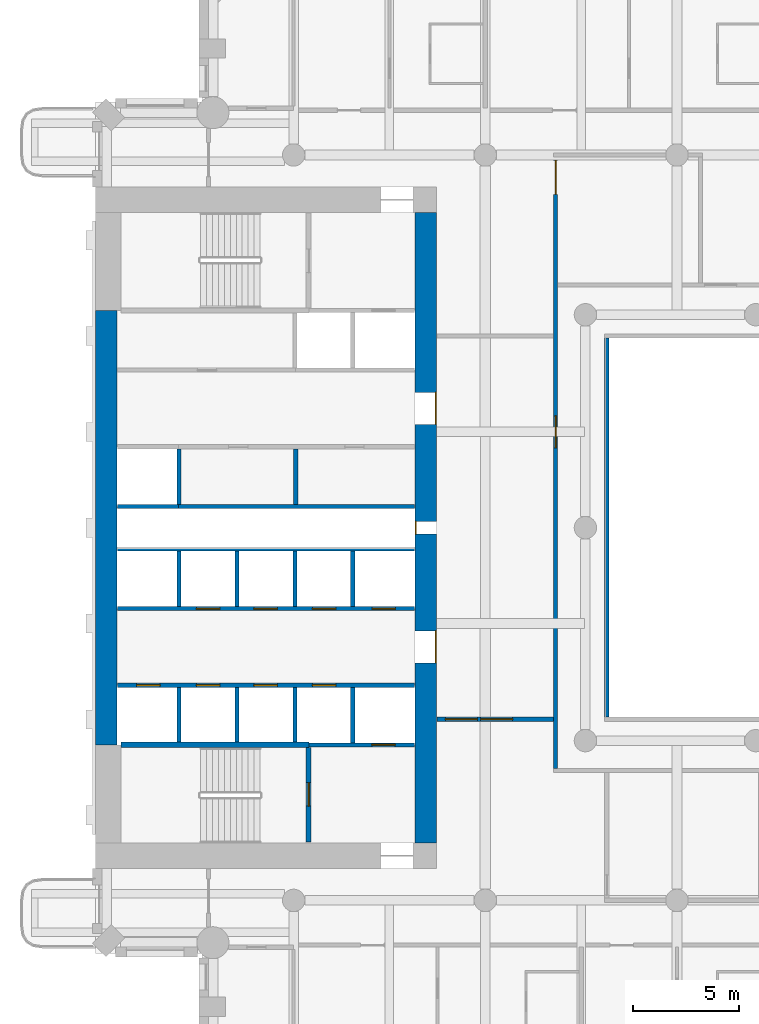
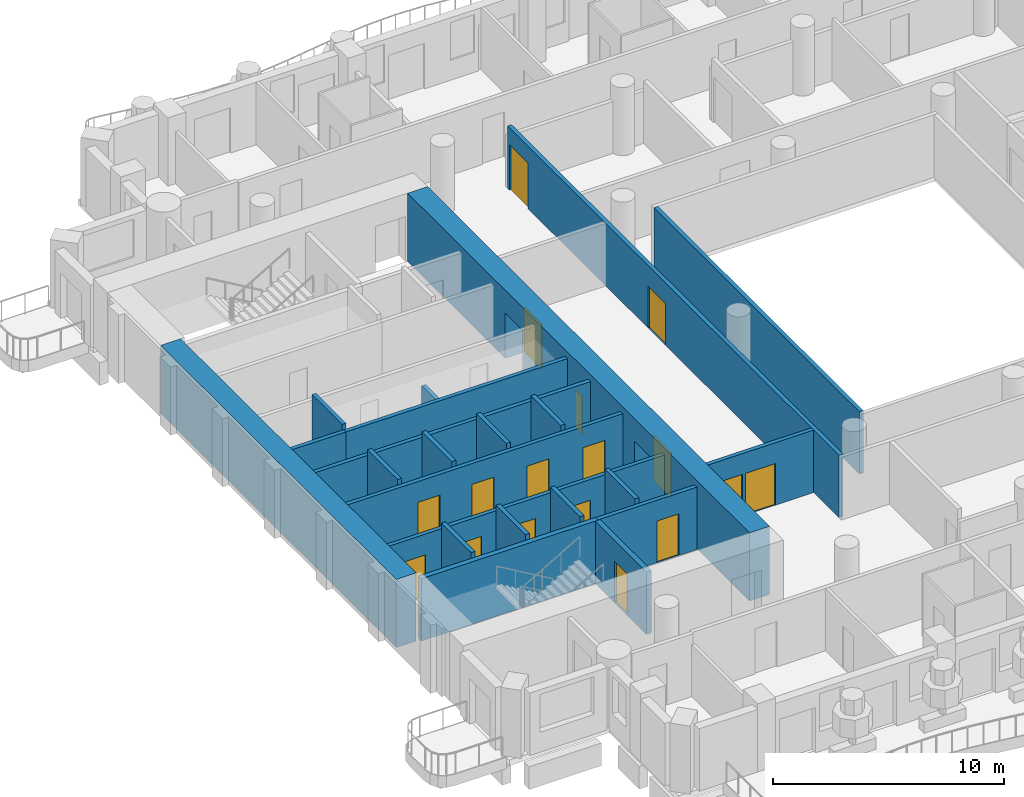
# One storey, part 4 of 19: 23 walls, 17 doors, 17 openings.
"""IFC4 building model written with IfcOpenShell, lengths in metres."""

from ifc_helpers import new_model, si_unit, direction, frame, frame_2d, origin, place, context, subcontext, project, spatial, rectangle, extrude, material, layer, layer_set, type_object, element, fill, save


model = new_model("IFC4")

# Units and contexts
model_context = context("Model", 3, precision=1e-05, world=origin(), true_north=direction((0.0, 1.0)))
body_context = subcontext(model_context, "Body", "Model", "MODEL_VIEW")
ifc_project = project(units=[si_unit("LENGTHUNIT", "METRE"), si_unit("AREAUNIT", "SQUARE_METRE"), si_unit("VOLUMEUNIT", "CUBIC_METRE"), si_unit("PLANEANGLEUNIT", "RADIAN"), si_unit("MASSUNIT", "GRAM", prefix="KILO")], contexts=[model_context])

# Site, building, storey
site_placement = place(None, origin())
site = spatial("IfcSite", under=ifc_project, at=site_placement, CompositionType="ELEMENT")
building_placement = place(site_placement, origin())
building = spatial("IfcBuilding", under=site, at=building_placement, Name="Cypress Arch Tower", CompositionType="ELEMENT")
storey_placement = place(building_placement, frame((0.0, 0.0, 141.89990234375)))
storey = spatial("IfcBuildingStorey", under=building, at=storey_placement, Name="L31", CompositionType="ELEMENT", Elevation=141.89990234375)

# Wall, openings, doors
ifc_material_1 = material(Name="Concrete C80/95", Category="concrete")
ifc_layer_1 = layer(ifc_material_1, 1.0)
ifc_layer_set_1 = layer_set([ifc_layer_1], Name="Core wall CW1000 C80/95")
wall_type_1 = type_object("IfcWallType", Name="Core wall CW1000 C80/95", PredefinedType="SHEAR", material=ifc_layer_set_1)
wall_1_placement = place(storey_placement, frame((-14.5, -14.800048828125, 0.0), z_axis=(0.0, 0.0, 1.0), x_axis=(0.0, 1.0, 0.0)))
wall_1 = element("IfcWall", 1, at=wall_1_placement, inside=storey, type_object=wall_type_1, Name="Core wall", PredefinedType="SHEAR", context=body_context, shape_type="SweptSolid", body=[
    extrude(rectangle(XDim=29.60009765625, YDim=1.0, at=frame_2d((14.800048828125, 0.0))), origin(), (0.0, 0.0, 1.0), 3.60009765625),
])
opening_1_placement = place(wall_1_placement, frame((8.449951171875, 0.0, 0.0)))
opening_1 = element("IfcOpeningElement", 2, at=opening_1_placement, cuts=wall_1, Name="Opening D07", PredefinedType="OPENING", context=body_context, shape_type="SweptSolid", body=[
    extrude(rectangle(XDim=1.5, YDim=2.39990234375, at=frame_2d((0.75, 1.199951171875))), frame((0.0, 0.510009765625, 0.0), z_axis=(0.0, -1.0, 0.0), x_axis=(1.0, 0.0, 0.0)), (0.0, 0.0, 1.0), 1.02001953125),
])
opening_2_placement = place(wall_1_placement, frame((19.64990234375, 0.0, 0.0)))
opening_2 = element("IfcOpeningElement", 3, at=opening_2_placement, cuts=wall_1, Name="Opening D07", PredefinedType="OPENING", context=body_context, shape_type="SweptSolid", body=[
    extrude(rectangle(XDim=1.5, YDim=2.39990234375, at=frame_2d((0.75, 1.199951171875))), frame((0.0, 0.510009765625, 0.0), z_axis=(0.0, -1.0, 0.0), x_axis=(1.0, 0.0, 0.0)), (0.0, 0.0, 1.0), 1.02001953125),
])
opening_3_placement = place(wall_1_placement, frame((14.5, 0.0, 0.0)))
opening_3 = element("IfcOpeningElement", 4, at=opening_3_placement, cuts=wall_1, Name="Opening D08", PredefinedType="OPENING", context=body_context, shape_type="SweptSolid", body=[
    extrude(rectangle(XDim=0.60009765625, YDim=2.0, at=frame_2d((0.300048828125, 1.0))), frame((0.0, 0.510009765625, 0.0), z_axis=(0.0, -1.0, 0.0), x_axis=(1.0, 0.0, 0.0)), (0.0, 0.0, 1.0), 1.02001953125),
])
ifc_material_2 = material(Name="Steel framed glazed door, fire resisting", Category="steel")
door_type_1 = type_object("IfcDoorType", Name="Lobby door D07 1500x2400", OperationType="DOUBLE_DOOR_SINGLE_SWING", PredefinedType="DOOR", material=ifc_material_2)
door_1_placement = place(opening_1_placement, origin())
door_1 = element("IfcDoor", 5, at=door_1_placement, inside=storey, type_object=door_type_1, Name="Lobby door", OperationType="DOUBLE_DOOR_SINGLE_SWING", OverallHeight=2.39990234375, OverallWidth=1.5, PredefinedType="DOOR", context=body_context, shape_type="SweptSolid", body=[
    extrude(rectangle(XDim=1.5, YDim=2.39990234375, at=frame_2d((0.75, 1.199951171875))), frame((0.0, -0.44482421875, 0.0), z_axis=(0.0, -1.0, 0.0), x_axis=(1.0, 0.0, 0.0)), (0.0, 0.0, 1.0), 0.050048828125),
])
fill(opening_1, door_1)
door_2_placement = place(opening_2_placement, origin())
door_2 = element("IfcDoor", 6, at=door_2_placement, inside=storey, type_object=door_type_1, Name="Lobby door", OperationType="DOUBLE_DOOR_SINGLE_SWING", OverallHeight=2.39990234375, OverallWidth=1.5, PredefinedType="DOOR", context=body_context, shape_type="SweptSolid", body=[
    extrude(rectangle(XDim=1.5, YDim=2.39990234375, at=frame_2d((0.75, 1.199951171875))), frame((0.0, -0.44482421875, 0.0), z_axis=(0.0, -1.0, 0.0), x_axis=(1.0, 0.0, 0.0)), (0.0, 0.0, 1.0), 0.050048828125),
])
fill(opening_2, door_2)
ifc_material_3 = material(Name="Steel access door, fire resisting", Category="steel")
door_type_2 = type_object("IfcDoorType", Name="Riser access door D08 600x2000", OperationType="SINGLE_SWING_LEFT", PredefinedType="DOOR", material=ifc_material_3)
door_3_placement = place(opening_3_placement, origin())
door_3 = element("IfcDoor", 7, at=door_3_placement, inside=storey, type_object=door_type_2, Name="Riser access door", OperationType="SINGLE_SWING_RIGHT", OverallHeight=2.0, OverallWidth=0.60009765625, PredefinedType="DOOR", context=body_context, shape_type="SweptSolid", body=[
    extrude(rectangle(XDim=0.60009765625, YDim=2.0, at=frame_2d((0.300048828125, 1.0))), frame((0.0, 0.4951171875, 0.0), z_axis=(0.0, -1.0, 0.0), x_axis=(1.0, 0.0, 0.0)), (0.0, 0.0, 1.0), 0.050048828125),
])
fill(opening_3, door_3)

# Wall
wall_2_placement = place(storey_placement, frame((-29.5, -10.199951171875, 0.0), z_axis=(0.0, 0.0, 1.0), x_axis=(0.0, 1.0, 0.0)))
element("IfcWall", 8, at=wall_2_placement, inside=storey, type_object=wall_type_1, Name="Core wall", PredefinedType="SHEAR", context=body_context, shape_type="SweptSolid", body=[
    extrude(rectangle(XDim=20.39990234375, YDim=1.0, at=frame_2d((10.199951171875, 0.0))), origin(), (0.0, 0.0, 1.0), 3.60009765625),
])

# Wall, openings, doors
ifc_material_4 = material(Name="Concrete blockwork, plastered, rated", Category="masonry")
ifc_layer_2 = layer(ifc_material_4, 0.199951171875)
ifc_layer_set_2 = layer_set([ifc_layer_2], Name="Corridor wall FW200")
wall_type_2 = type_object("IfcWallType", Name="Corridor wall FW200", PredefinedType="PARTITIONING", material=ifc_layer_set_2)
wall_3_placement = place(storey_placement, frame((-13.969970703125, -9.0, 0.0), z_axis=(0.0, 0.0, 1.0), x_axis=(1.0, 0.0, 0.0)))
wall_3 = element("IfcWall", 9, at=wall_3_placement, inside=storey, type_object=wall_type_2, Name="Corridor wall", PredefinedType="PARTITIONING", context=body_context, shape_type="SweptSolid", body=[
    extrude(rectangle(XDim=5.469970703125, YDim=0.199951171875, at=frame_2d((2.73486328125, 0.0))), origin(), (0.0, 0.0, 1.0), 3.300048828125),
])
opening_4_placement = place(wall_3_placement, frame((0.39990234375, 0.0, 0.0)))
opening_4 = element("IfcOpeningElement", 10, at=opening_4_placement, cuts=wall_3, Name="Opening D04", PredefinedType="OPENING", context=body_context, shape_type="SweptSolid", body=[
    extrude(rectangle(XDim=1.5, YDim=2.199951171875, at=frame_2d((0.75, 1.10009765625))), frame((0.0, 0.10986328125, 0.0), z_axis=(0.0, -1.0, 0.0), x_axis=(1.0, 0.0, 0.0)), (0.0, 0.0, 1.0), 0.219970703125),
])
opening_5_placement = place(wall_3_placement, frame((2.050048828125, 0.0, 0.0)))
opening_5 = element("IfcOpeningElement", 11, at=opening_5_placement, cuts=wall_3, Name="Opening D04", PredefinedType="OPENING", context=body_context, shape_type="SweptSolid", body=[
    extrude(rectangle(XDim=1.5, YDim=2.199951171875, at=frame_2d((0.75, 1.10009765625))), frame((0.0, 0.10986328125, 0.0), z_axis=(0.0, -1.0, 0.0), x_axis=(1.0, 0.0, 0.0)), (0.0, 0.0, 1.0), 0.219970703125),
])
ifc_material_5 = material(Name="Timber double door", Category="wood")
door_type_3 = type_object("IfcDoorType", Name="Double door D04 1500x2200", OperationType="DOUBLE_DOOR_SINGLE_SWING", PredefinedType="DOOR", material=ifc_material_5)
door_4_placement = place(opening_4_placement, origin())
door_4 = element("IfcDoor", 12, at=door_4_placement, inside=storey, type_object=door_type_3, Name="Double door", OperationType="DOUBLE_DOOR_SINGLE_SWING", OverallHeight=2.199951171875, OverallWidth=1.5, PredefinedType="DOOR", context=body_context, shape_type="SweptSolid", body=[
    extrude(rectangle(XDim=1.5, YDim=2.199951171875, at=frame_2d((0.75, 1.10009765625))), frame((0.0, 0.02490234375, 0.0), z_axis=(0.0, -1.0, 0.0), x_axis=(1.0, 0.0, 0.0)), (0.0, 0.0, 1.0), 0.050048828125),
])
fill(opening_4, door_4)
door_5_placement = place(opening_5_placement, origin())
door_5 = element("IfcDoor", 13, at=door_5_placement, inside=storey, type_object=door_type_3, Name="Double door", OperationType="DOUBLE_DOOR_SINGLE_SWING", OverallHeight=2.199951171875, OverallWidth=1.5, PredefinedType="DOOR", context=body_context, shape_type="SweptSolid", body=[
    extrude(rectangle(XDim=1.5, YDim=2.199951171875, at=frame_2d((0.75, 1.10009765625))), frame((0.0, 0.02490234375, 0.0), z_axis=(0.0, -1.0, 0.0), x_axis=(1.0, 0.0, 0.0)), (0.0, 0.0, 1.0), 0.050048828125),
])
fill(opening_5, door_5)

wall_4_placement = place(storey_placement, frame((-8.39990234375, -11.300048828125, 0.0), z_axis=(0.0, 0.0, 1.0), x_axis=(0.0, 1.0, 0.0)))
wall_4 = element("IfcWall", 14, at=wall_4_placement, inside=storey, type_object=wall_type_2, Name="Corridor wall", PredefinedType="PARTITIONING", context=body_context, shape_type="SweptSolid", body=[
    extrude(rectangle(XDim=28.699951171875, YDim=0.199951171875, at=frame_2d((14.35009765625, 0.0))), origin(), (0.0, 0.0, 1.0), 3.300048828125),
])
opening_6_placement = place(wall_4_placement, frame((15.050048828125, 0.0, 0.0)))
opening_6 = element("IfcOpeningElement", 15, at=opening_6_placement, cuts=wall_4, Name="Opening D04", PredefinedType="OPENING", context=body_context, shape_type="SweptSolid", body=[
    extrude(rectangle(XDim=1.5, YDim=2.199951171875, at=frame_2d((0.75, 1.10009765625))), frame((0.0, 0.10986328125, 0.0), z_axis=(0.0, -1.0, 0.0), x_axis=(1.0, 0.0, 0.0)), (0.0, 0.0, 1.0), 0.219970703125),
])
opening_7_placement = place(wall_4_placement, frame((26.949951171875, 0.0, 0.0)))
opening_7 = element("IfcOpeningElement", 16, at=opening_7_placement, cuts=wall_4, Name="Opening D10", PredefinedType="OPENING", context=body_context, shape_type="SweptSolid", body=[
    extrude(rectangle(XDim=1.60009765625, YDim=2.39990234375, at=frame_2d((0.800048828125, 1.199951171875))), frame((0.0, 0.10986328125, 0.0), z_axis=(0.0, -1.0, 0.0), x_axis=(1.0, 0.0, 0.0)), (0.0, 0.0, 1.0), 0.219970703125),
])
ifc_material_6 = material(Name="Black aluminium glazed door", Category="aluminium")
door_type_4 = type_object("IfcDoorType", Name="Amenity door D10 1600x2400", OperationType="DOUBLE_DOOR_SINGLE_SWING", PredefinedType="DOOR", material=ifc_material_6)
door_6_placement = place(opening_7_placement, origin())
door_6 = element("IfcDoor", 17, at=door_6_placement, inside=storey, type_object=door_type_4, Name="Amenity door", OperationType="DOUBLE_DOOR_SINGLE_SWING", OverallHeight=2.39990234375, OverallWidth=1.60009765625, PredefinedType="DOOR", context=body_context, shape_type="SweptSolid", body=[
    extrude(rectangle(XDim=1.60009765625, YDim=2.39990234375, at=frame_2d((0.800048828125, 1.199951171875))), frame((0.0, 0.02490234375, 0.0), z_axis=(0.0, -1.0, 0.0), x_axis=(1.0, 0.0, 0.0)), (0.0, 0.0, 1.0), 0.050048828125),
])
fill(opening_7, door_6)
door_7_placement = place(opening_6_placement, origin())
door_7 = element("IfcDoor", 18, at=door_7_placement, inside=storey, type_object=door_type_3, Name="Double door", OperationType="DOUBLE_DOOR_SINGLE_SWING", OverallHeight=2.199951171875, OverallWidth=1.5, PredefinedType="DOOR", context=body_context, shape_type="SweptSolid", body=[
    extrude(rectangle(XDim=1.5, YDim=2.199951171875, at=frame_2d((0.75, 1.10009765625))), frame((0.0, 0.02490234375, 0.0), z_axis=(0.0, -1.0, 0.0), x_axis=(1.0, 0.0, 0.0)), (0.0, 0.0, 1.0), 0.050048828125),
])
fill(opening_6, door_7)

# Walls
wall_5_placement = place(storey_placement, frame((-6.0, -8.89990234375, 0.0), z_axis=(0.0, 0.0, 1.0), x_axis=(0.0, 1.0, 0.0)))
element("IfcWall", 19, at=wall_5_placement, inside=storey, type_object=wall_type_2, Name="Corridor wall", PredefinedType="PARTITIONING", context=body_context, shape_type="SweptSolid", body=[
    extrude(rectangle(XDim=17.7998046875, YDim=0.199951171875, at=frame_2d((8.89990234375, 0.0))), origin(), (0.0, 0.0, 1.0), 3.300048828125),
])
ifc_material_7 = material(Name="Reinforced blockwork, plastered, rated", Category="masonry")
ifc_layer_3 = layer(ifc_material_7, 0.199951171875)
ifc_layer_set_3 = layer_set([ifc_layer_3], Name="Plant and riser wall PL200")
wall_type_3 = type_object("IfcWallType", Name="Plant and riser wall PL200", PredefinedType="PARTITIONING", material=ifc_layer_set_3)
wall_6_placement = place(storey_placement, frame((-26.10009765625, 1.0, 0.0), z_axis=(0.0, 0.0, 1.0), x_axis=(1.0, 0.0, 0.0)))
element("IfcWall", 20, at=wall_6_placement, inside=storey, type_object=wall_type_3, Name="Plant and riser wall", PredefinedType="PARTITIONING", context=body_context, shape_type="SweptSolid", body=[
    extrude(rectangle(XDim=11.070068359375, YDim=0.199951171875, at=frame_2d((5.53515625, 0.0))), origin(), (0.0, 0.0, 1.0), 3.300048828125),
])
ifc_material_8 = material(Name="Concrete C50/60", Category="concrete")
ifc_layer_4 = layer(ifc_material_8, 0.199951171875)
ifc_layer_set_4 = layer_set([ifc_layer_4], Name="Shaft wall SH200")
wall_type_4 = type_object("IfcWallType", Name="Shaft wall SH200", PredefinedType="SHEAR", material=ifc_layer_set_4)
wall_7_placement = place(storey_placement, frame((-20.60009765625, 1.10009765625, 0.0), z_axis=(0.0, 0.0, 1.0), x_axis=(0.0, 1.0, 0.0)))
element("IfcWall", 21, at=wall_7_placement, inside=storey, type_object=wall_type_4, Name="Shaft wall", PredefinedType="SHEAR", context=body_context, shape_type="SweptSolid", body=[
    extrude(rectangle(XDim=2.599853515625, YDim=0.199951171875, at=frame_2d((1.2998046875, 0.0))), origin(), (0.0, 0.0, 1.0), 2.150146484375),
])

# Wall, openings, doors
wall_8_placement = place(storey_placement, frame((-28.969970703125, -7.39990234375, 0.0), z_axis=(0.0, 0.0, 1.0), x_axis=(1.0, 0.0, 0.0)))
wall_8 = element("IfcWall", 22, at=wall_8_placement, inside=storey, type_object=wall_type_4, Name="Shaft wall", PredefinedType="SHEAR", context=body_context, shape_type="SweptSolid", body=[
    extrude(rectangle(XDim=13.93994140625, YDim=0.199951171875, at=frame_2d((6.969970703125, 0.0))), origin(), (0.0, 0.0, 1.0), 3.300048828125),
])
opening_8_placement = place(wall_8_placement, frame((0.89990234375, 0.0, 0.0)))
opening_8 = element("IfcOpeningElement", 23, at=opening_8_placement, cuts=wall_8, Name="Opening LD-LR1", PredefinedType="OPENING", context=body_context, shape_type="SweptSolid", body=[
    extrude(rectangle(XDim=1.10009765625, YDim=2.199951171875, at=frame_2d((0.550048828125, 1.10009765625))), frame((0.0, 0.10986328125, 0.0), z_axis=(0.0, -1.0, 0.0), x_axis=(1.0, 0.0, 0.0)), (0.0, 0.0, 1.0), 0.219970703125),
])
opening_9_placement = place(wall_8_placement, frame((3.699951171875, 0.0, 0.0)))
opening_9 = element("IfcOpeningElement", 24, at=opening_9_placement, cuts=wall_8, Name="Opening LD-LR2", PredefinedType="OPENING", context=body_context, shape_type="SweptSolid", body=[
    extrude(rectangle(XDim=1.10009765625, YDim=2.199951171875, at=frame_2d((0.550048828125, 1.10009765625))), frame((0.0, 0.10986328125, 0.0), z_axis=(0.0, -1.0, 0.0), x_axis=(1.0, 0.0, 0.0)), (0.0, 0.0, 1.0), 0.219970703125),
])
opening_10_placement = place(wall_8_placement, frame((6.39990234375, 0.0, 0.0)))
opening_10 = element("IfcOpeningElement", 25, at=opening_10_placement, cuts=wall_8, Name="Opening LD-LR3", PredefinedType="OPENING", context=body_context, shape_type="SweptSolid", body=[
    extrude(rectangle(XDim=1.10009765625, YDim=2.199951171875, at=frame_2d((0.550048828125, 1.10009765625))), frame((0.0, 0.10986328125, 0.0), z_axis=(0.0, -1.0, 0.0), x_axis=(1.0, 0.0, 0.0)), (0.0, 0.0, 1.0), 0.219970703125),
])
opening_11_placement = place(wall_8_placement, frame((9.14990234375, 0.0, 0.0)))
opening_11 = element("IfcOpeningElement", 26, at=opening_11_placement, cuts=wall_8, Name="Opening LD-LR4", PredefinedType="OPENING", context=body_context, shape_type="SweptSolid", body=[
    extrude(rectangle(XDim=1.10009765625, YDim=2.199951171875, at=frame_2d((0.550048828125, 1.10009765625))), frame((0.0, 0.10986328125, 0.0), z_axis=(0.0, -1.0, 0.0), x_axis=(1.0, 0.0, 0.0)), (0.0, 0.0, 1.0), 0.219970703125),
])
ifc_material_9 = material(Name="Stainless steel centre-opening landing door, rated", Category="steel")
door_type_5 = type_object("IfcDoorType", Name="Lift landing door LD 1100x2200", OperationType="DOUBLE_DOOR_SLIDING", PredefinedType="DOOR", material=ifc_material_9)
door_8_placement = place(opening_8_placement, origin())
door_8 = element("IfcDoor", 27, at=door_8_placement, inside=storey, type_object=door_type_5, Name="Lift landing doors LR1", OperationType="DOUBLE_DOOR_SLIDING", OverallHeight=2.199951171875, OverallWidth=1.10009765625, PredefinedType="DOOR", context=body_context, shape_type="SweptSolid", body=[
    extrude(rectangle(XDim=1.10009765625, YDim=2.199951171875, at=frame_2d((0.550048828125, 1.10009765625))), frame((0.0, 0.02490234375, 0.0), z_axis=(0.0, -1.0, 0.0), x_axis=(1.0, 0.0, 0.0)), (0.0, 0.0, 1.0), 0.050048828125),
])
fill(opening_8, door_8)
door_9_placement = place(opening_9_placement, origin())
door_9 = element("IfcDoor", 28, at=door_9_placement, inside=storey, type_object=door_type_5, Name="Lift landing doors LR2", OperationType="DOUBLE_DOOR_SLIDING", OverallHeight=2.199951171875, OverallWidth=1.10009765625, PredefinedType="DOOR", context=body_context, shape_type="SweptSolid", body=[
    extrude(rectangle(XDim=1.10009765625, YDim=2.199951171875, at=frame_2d((0.550048828125, 1.10009765625))), frame((0.0, 0.02490234375, 0.0), z_axis=(0.0, -1.0, 0.0), x_axis=(1.0, 0.0, 0.0)), (0.0, 0.0, 1.0), 0.050048828125),
])
fill(opening_9, door_9)
door_10_placement = place(opening_10_placement, origin())
door_10 = element("IfcDoor", 29, at=door_10_placement, inside=storey, type_object=door_type_5, Name="Lift landing doors LR3", OperationType="DOUBLE_DOOR_SLIDING", OverallHeight=2.199951171875, OverallWidth=1.10009765625, PredefinedType="DOOR", context=body_context, shape_type="SweptSolid", body=[
    extrude(rectangle(XDim=1.10009765625, YDim=2.199951171875, at=frame_2d((0.550048828125, 1.10009765625))), frame((0.0, 0.02490234375, 0.0), z_axis=(0.0, -1.0, 0.0), x_axis=(1.0, 0.0, 0.0)), (0.0, 0.0, 1.0), 0.050048828125),
])
fill(opening_10, door_10)
door_11_placement = place(opening_11_placement, origin())
door_11 = element("IfcDoor", 30, at=door_11_placement, inside=storey, type_object=door_type_5, Name="Lift landing doors LR4", OperationType="DOUBLE_DOOR_SLIDING", OverallHeight=2.199951171875, OverallWidth=1.10009765625, PredefinedType="DOOR", context=body_context, shape_type="SweptSolid", body=[
    extrude(rectangle(XDim=1.10009765625, YDim=2.199951171875, at=frame_2d((0.550048828125, 1.10009765625))), frame((0.0, 0.02490234375, 0.0), z_axis=(0.0, -1.0, 0.0), x_axis=(1.0, 0.0, 0.0)), (0.0, 0.0, 1.0), 0.050048828125),
])
fill(opening_11, door_11)

wall_9_placement = place(storey_placement, frame((-28.969970703125, -3.800048828125, 0.0), z_axis=(0.0, 0.0, 1.0), x_axis=(1.0, 0.0, 0.0)))
wall_9 = element("IfcWall", 31, at=wall_9_placement, inside=storey, type_object=wall_type_4, Name="Shaft wall", PredefinedType="SHEAR", context=body_context, shape_type="SweptSolid", body=[
    extrude(rectangle(XDim=13.93994140625, YDim=0.199951171875, at=frame_2d((6.969970703125, 0.0))), origin(), (0.0, 0.0, 1.0), 3.300048828125),
])
opening_12_placement = place(wall_9_placement, frame((3.699951171875, 0.0, 0.0)))
opening_12 = element("IfcOpeningElement", 32, at=opening_12_placement, cuts=wall_9, Name="Opening LD-LR5", PredefinedType="OPENING", context=body_context, shape_type="SweptSolid", body=[
    extrude(rectangle(XDim=1.10009765625, YDim=2.199951171875, at=frame_2d((0.550048828125, 1.10009765625))), frame((0.0, 0.10986328125, 0.0), z_axis=(0.0, -1.0, 0.0), x_axis=(1.0, 0.0, 0.0)), (0.0, 0.0, 1.0), 0.219970703125),
])
opening_13_placement = place(wall_9_placement, frame((6.39990234375, 0.0, 0.0)))
opening_13 = element("IfcOpeningElement", 33, at=opening_13_placement, cuts=wall_9, Name="Opening LD-LR6", PredefinedType="OPENING", context=body_context, shape_type="SweptSolid", body=[
    extrude(rectangle(XDim=1.10009765625, YDim=2.199951171875, at=frame_2d((0.550048828125, 1.10009765625))), frame((0.0, 0.10986328125, 0.0), z_axis=(0.0, -1.0, 0.0), x_axis=(1.0, 0.0, 0.0)), (0.0, 0.0, 1.0), 0.219970703125),
])
opening_14_placement = place(wall_9_placement, frame((9.14990234375, 0.0, 0.0)))
opening_14 = element("IfcOpeningElement", 34, at=opening_14_placement, cuts=wall_9, Name="Opening LD-LR7", PredefinedType="OPENING", context=body_context, shape_type="SweptSolid", body=[
    extrude(rectangle(XDim=1.10009765625, YDim=2.199951171875, at=frame_2d((0.550048828125, 1.10009765625))), frame((0.0, 0.10986328125, 0.0), z_axis=(0.0, -1.0, 0.0), x_axis=(1.0, 0.0, 0.0)), (0.0, 0.0, 1.0), 0.219970703125),
])
opening_15_placement = place(wall_9_placement, frame((11.949951171875, 0.0, 0.0)))
opening_15 = element("IfcOpeningElement", 35, at=opening_15_placement, cuts=wall_9, Name="Opening LD-LR8", PredefinedType="OPENING", context=body_context, shape_type="SweptSolid", body=[
    extrude(rectangle(XDim=1.10009765625, YDim=2.199951171875, at=frame_2d((0.550048828125, 1.10009765625))), frame((0.0, 0.10986328125, 0.0), z_axis=(0.0, -1.0, 0.0), x_axis=(1.0, 0.0, 0.0)), (0.0, 0.0, 1.0), 0.219970703125),
])
door_12_placement = place(opening_12_placement, origin())
door_12 = element("IfcDoor", 36, at=door_12_placement, inside=storey, type_object=door_type_5, Name="Lift landing doors LR5", OperationType="DOUBLE_DOOR_SLIDING", OverallHeight=2.199951171875, OverallWidth=1.10009765625, PredefinedType="DOOR", context=body_context, shape_type="SweptSolid", body=[
    extrude(rectangle(XDim=1.10009765625, YDim=2.199951171875, at=frame_2d((0.550048828125, 1.10009765625))), frame((0.0, 0.02490234375, 0.0), z_axis=(0.0, -1.0, 0.0), x_axis=(1.0, 0.0, 0.0)), (0.0, 0.0, 1.0), 0.050048828125),
])
fill(opening_12, door_12)
door_13_placement = place(opening_13_placement, origin())
door_13 = element("IfcDoor", 37, at=door_13_placement, inside=storey, type_object=door_type_5, Name="Lift landing doors LR6", OperationType="DOUBLE_DOOR_SLIDING", OverallHeight=2.199951171875, OverallWidth=1.10009765625, PredefinedType="DOOR", context=body_context, shape_type="SweptSolid", body=[
    extrude(rectangle(XDim=1.10009765625, YDim=2.199951171875, at=frame_2d((0.550048828125, 1.10009765625))), frame((0.0, 0.02490234375, 0.0), z_axis=(0.0, -1.0, 0.0), x_axis=(1.0, 0.0, 0.0)), (0.0, 0.0, 1.0), 0.050048828125),
])
fill(opening_13, door_13)
door_14_placement = place(opening_14_placement, origin())
door_14 = element("IfcDoor", 38, at=door_14_placement, inside=storey, type_object=door_type_5, Name="Lift landing doors LR7", OperationType="DOUBLE_DOOR_SLIDING", OverallHeight=2.199951171875, OverallWidth=1.10009765625, PredefinedType="DOOR", context=body_context, shape_type="SweptSolid", body=[
    extrude(rectangle(XDim=1.10009765625, YDim=2.199951171875, at=frame_2d((0.550048828125, 1.10009765625))), frame((0.0, 0.02490234375, 0.0), z_axis=(0.0, -1.0, 0.0), x_axis=(1.0, 0.0, 0.0)), (0.0, 0.0, 1.0), 0.050048828125),
])
fill(opening_14, door_14)
door_15_placement = place(opening_15_placement, origin())
door_15 = element("IfcDoor", 39, at=door_15_placement, inside=storey, type_object=door_type_5, Name="Lift landing doors LR8", OperationType="DOUBLE_DOOR_SLIDING", OverallHeight=2.199951171875, OverallWidth=1.10009765625, PredefinedType="DOOR", context=body_context, shape_type="SweptSolid", body=[
    extrude(rectangle(XDim=1.10009765625, YDim=2.199951171875, at=frame_2d((0.550048828125, 1.10009765625))), frame((0.0, 0.02490234375, 0.0), z_axis=(0.0, -1.0, 0.0), x_axis=(1.0, 0.0, 0.0)), (0.0, 0.0, 1.0), 0.050048828125),
])
fill(opening_15, door_15)

# Walls
wall_10_placement = place(storey_placement, frame((-28.969970703125, -1.0, 0.0), z_axis=(0.0, 0.0, 1.0), x_axis=(1.0, 0.0, 0.0)))
element("IfcWall", 40, at=wall_10_placement, inside=storey, type_object=wall_type_4, Name="Shaft wall", PredefinedType="SHEAR", context=body_context, shape_type="SweptSolid", body=[
    extrude(rectangle(XDim=13.93994140625, YDim=0.199951171875, at=frame_2d((6.969970703125, 0.0))), origin(), (0.0, 0.0, 1.0), 3.300048828125),
])
wall_11_placement = place(storey_placement, frame((-28.969970703125, 1.0, 0.0), z_axis=(0.0, 0.0, 1.0), x_axis=(1.0, 0.0, 0.0)))
element("IfcWall", 41, at=wall_11_placement, inside=storey, type_object=wall_type_4, Name="Shaft wall", PredefinedType="SHEAR", context=body_context, shape_type="SweptSolid", body=[
    extrude(rectangle(XDim=2.869873046875, YDim=0.199951171875, at=frame_2d((1.43505859375, 0.0))), origin(), (0.0, 0.0, 1.0), 3.300048828125),
])
wall_12_placement = place(storey_placement, frame((-26.080078125, -10.074951171875, 0.0), z_axis=(0.0, 0.0, 1.0), x_axis=(0.0, 1.0, 0.0)))
element("IfcWall", 42, at=wall_12_placement, inside=storey, type_object=wall_type_4, Name="Shaft wall", PredefinedType="SHEAR", context=body_context, shape_type="SweptSolid", body=[
    extrude(rectangle(XDim=2.574951171875, YDim=0.199951171875, at=frame_2d((1.28759765625, 0.0))), origin(), (0.0, 0.0, 1.0), 3.60009765625),
])
for number, where, z_axis, x_axis, name in (
    (43, (-26.080078125, -3.699951171875, 0.0), (0.0, 0.0, 1.0), (0.0, 1.0, 0.0), "Shaft wall"),
    (44, (-26.080078125, 1.10009765625, 0.0), (0.0, 0.0, 1.0), (0.0, 1.0, 0.0), "Shaft wall"),
):
    element("IfcWall", number, at=place(storey_placement, frame(where, z_axis=z_axis, x_axis=x_axis)), inside=storey, type_object=wall_type_4, Name=name, PredefinedType="SHEAR", context=body_context, shape_type="SweptSolid", body=[
        extrude(rectangle(XDim=2.599853515625, YDim=0.199951171875, at=frame_2d((1.2998046875, 0.0))), origin(), (0.0, 0.0, 1.0), 3.60009765625),
    ])
wall_13_placement = place(storey_placement, frame((-23.360107421875, -10.074951171875, 0.0), z_axis=(0.0, 0.0, 1.0), x_axis=(0.0, 1.0, 0.0)))
element("IfcWall", 45, at=wall_13_placement, inside=storey, type_object=wall_type_4, Name="Shaft wall", PredefinedType="SHEAR", context=body_context, shape_type="SweptSolid", body=[
    extrude(rectangle(XDim=2.574951171875, YDim=0.199951171875, at=frame_2d((1.28759765625, 0.0))), origin(), (0.0, 0.0, 1.0), 3.60009765625),
])
wall_14_placement = place(storey_placement, frame((-23.360107421875, -3.699951171875, 0.0), z_axis=(0.0, 0.0, 1.0), x_axis=(0.0, 1.0, 0.0)))
element("IfcWall", 46, at=wall_14_placement, inside=storey, type_object=wall_type_4, Name="Shaft wall", PredefinedType="SHEAR", context=body_context, shape_type="SweptSolid", body=[
    extrude(rectangle(XDim=2.599853515625, YDim=0.199951171875, at=frame_2d((1.2998046875, 0.0))), origin(), (0.0, 0.0, 1.0), 3.60009765625),
])
wall_15_placement = place(storey_placement, frame((-20.639892578125, -10.074951171875, 0.0), z_axis=(0.0, 0.0, 1.0), x_axis=(0.0, 1.0, 0.0)))
element("IfcWall", 47, at=wall_15_placement, inside=storey, type_object=wall_type_4, Name="Shaft wall", PredefinedType="SHEAR", context=body_context, shape_type="SweptSolid", body=[
    extrude(rectangle(XDim=2.574951171875, YDim=0.199951171875, at=frame_2d((1.28759765625, 0.0))), origin(), (0.0, 0.0, 1.0), 3.60009765625),
])
wall_16_placement = place(storey_placement, frame((-20.639892578125, -3.699951171875, 0.0), z_axis=(0.0, 0.0, 1.0), x_axis=(0.0, 1.0, 0.0)))
element("IfcWall", 48, at=wall_16_placement, inside=storey, type_object=wall_type_4, Name="Shaft wall", PredefinedType="SHEAR", context=body_context, shape_type="SweptSolid", body=[
    extrude(rectangle(XDim=2.599853515625, YDim=0.199951171875, at=frame_2d((1.2998046875, 0.0))), origin(), (0.0, 0.0, 1.0), 3.60009765625),
])

# Wall, opening, door
wall_17_placement = place(storey_placement, frame((-19.97998046875, -10.199951171875, 0.0), z_axis=(0.0, 0.0, 1.0), x_axis=(1.0, 0.0, 0.0)))
wall_17 = element("IfcWall", 49, at=wall_17_placement, inside=storey, type_object=wall_type_4, Name="Shaft wall", PredefinedType="SHEAR", context=body_context, shape_type="SweptSolid", body=[
    extrude(rectangle(XDim=4.949951171875, YDim=0.199951171875, at=frame_2d((2.47509765625, 0.0))), origin(), (0.0, 0.0, 1.0), 3.300048828125),
])
opening_16_placement = place(wall_17_placement, frame((2.949951171875, 0.0, 0.0)))
opening_16 = element("IfcOpeningElement", 50, at=opening_16_placement, cuts=wall_17, Name="Opening LD-FL1", PredefinedType="OPENING", context=body_context, shape_type="SweptSolid", body=[
    extrude(rectangle(XDim=1.10009765625, YDim=2.199951171875, at=frame_2d((0.550048828125, 1.10009765625))), frame((0.0, 0.10986328125, 0.0), z_axis=(0.0, -1.0, 0.0), x_axis=(1.0, 0.0, 0.0)), (0.0, 0.0, 1.0), 0.219970703125),
])
door_16_placement = place(opening_16_placement, origin())
door_16 = element("IfcDoor", 51, at=door_16_placement, inside=storey, type_object=door_type_5, Name="Lift landing doors FL1", OperationType="DOUBLE_DOOR_SLIDING", OverallHeight=2.199951171875, OverallWidth=1.10009765625, PredefinedType="DOOR", context=body_context, shape_type="SweptSolid", body=[
    extrude(rectangle(XDim=1.10009765625, YDim=2.199951171875, at=frame_2d((0.550048828125, 1.10009765625))), frame((0.0, 0.02490234375, 0.0), z_axis=(0.0, -1.0, 0.0), x_axis=(1.0, 0.0, 0.0)), (0.0, 0.0, 1.0), 0.050048828125),
])
fill(opening_16, door_16)

# Walls
wall_18_placement = place(storey_placement, frame((-17.919921875, -10.10009765625, 0.0), z_axis=(0.0, 0.0, 1.0), x_axis=(0.0, 1.0, 0.0)))
element("IfcWall", 52, at=wall_18_placement, inside=storey, type_object=wall_type_4, Name="Shaft wall", PredefinedType="SHEAR", context=body_context, shape_type="SweptSolid", body=[
    extrude(rectangle(XDim=2.60009765625, YDim=0.199951171875, at=frame_2d((1.300048828125, 0.0))), origin(), (0.0, 0.0, 1.0), 3.60009765625),
])
wall_19_placement = place(storey_placement, frame((-17.919921875, -3.699951171875, 0.0), z_axis=(0.0, 0.0, 1.0), x_axis=(0.0, 1.0, 0.0)))
element("IfcWall", 53, at=wall_19_placement, inside=storey, type_object=wall_type_4, Name="Shaft wall", PredefinedType="SHEAR", context=body_context, shape_type="SweptSolid", body=[
    extrude(rectangle(XDim=2.599853515625, YDim=0.199951171875, at=frame_2d((1.2998046875, 0.0))), origin(), (0.0, 0.0, 1.0), 3.60009765625),
])
ifc_material_10 = material(Name="Concrete C50/60", Category="concrete")
ifc_layer_5 = layer(ifc_material_10, 0.25)
ifc_layer_set_5 = layer_set([ifc_layer_5], Name="Stair enclosure wall SW250")
wall_type_5 = type_object("IfcWallType", Name="Stair enclosure wall SW250", PredefinedType="SHEAR", material=ifc_layer_set_5)
wall_20_placement = place(storey_placement, frame((-28.81005859375, -10.199951171875, 0.0), z_axis=(0.0, 0.0, 1.0), x_axis=(1.0, 0.0, 0.0)))
element("IfcWall", 54, at=wall_20_placement, inside=storey, type_object=wall_type_5, Name="Stair enclosure wall", PredefinedType="SHEAR", context=body_context, shape_type="SweptSolid", body=[
    extrude(rectangle(XDim=8.830078125, YDim=0.25, at=frame_2d((4.4150390625, 0.0))), origin(), (0.0, 0.0, 1.0), 3.300048828125),
])

# Wall, opening, door
wall_21_placement = place(storey_placement, frame((-20.0, -14.77001953125, 0.0), z_axis=(0.0, 0.0, 1.0), x_axis=(0.0, 1.0, 0.0)))
wall_21 = element("IfcWall", 55, at=wall_21_placement, inside=storey, type_object=wall_type_5, Name="Stair enclosure wall", PredefinedType="SHEAR", context=body_context, shape_type="SweptSolid", body=[
    extrude(rectangle(XDim=4.445068359375, YDim=0.25, at=frame_2d((2.22265625, 0.0))), origin(), (0.0, 0.0, 1.0), 3.300048828125),
])
opening_17_placement = place(wall_21_placement, frame((1.699951171875, 0.0, 0.0)))
opening_17 = element("IfcOpeningElement", 56, at=opening_17_placement, cuts=wall_21, Name="Opening D06", PredefinedType="OPENING", context=body_context, shape_type="SweptSolid", body=[
    extrude(rectangle(XDim=1.10009765625, YDim=2.199951171875, at=frame_2d((0.550048828125, 1.10009765625))), frame((0.0, 0.135009765625, 0.0), z_axis=(0.0, -1.0, 0.0), x_axis=(1.0, 0.0, 0.0)), (0.0, 0.0, 1.0), 0.27001953125),
])
ifc_material_11 = material(Name="Steel door, fire resisting, panic bar", Category="steel")
door_type_6 = type_object("IfcDoorType", Name="Stair door D06 1100x2200", OperationType="SINGLE_SWING_LEFT", PredefinedType="DOOR", material=ifc_material_11)
door_17_placement = place(opening_17_placement, origin())
door_17 = element("IfcDoor", 57, at=door_17_placement, inside=storey, type_object=door_type_6, Name="Stair door", OperationType="SINGLE_SWING_RIGHT", OverallHeight=2.199951171875, OverallWidth=1.10009765625, PredefinedType="DOOR", context=body_context, shape_type="SweptSolid", body=[
    extrude(rectangle(XDim=1.10009765625, YDim=2.199951171875, at=frame_2d((0.550048828125, 1.10009765625))), frame((0.0, 0.02490234375, 0.0), z_axis=(0.0, -1.0, 0.0), x_axis=(1.0, 0.0, 0.0)), (0.0, 0.0, 1.0), 0.050048828125),
])
fill(opening_17, door_17)

save(model, "model.ifc")
